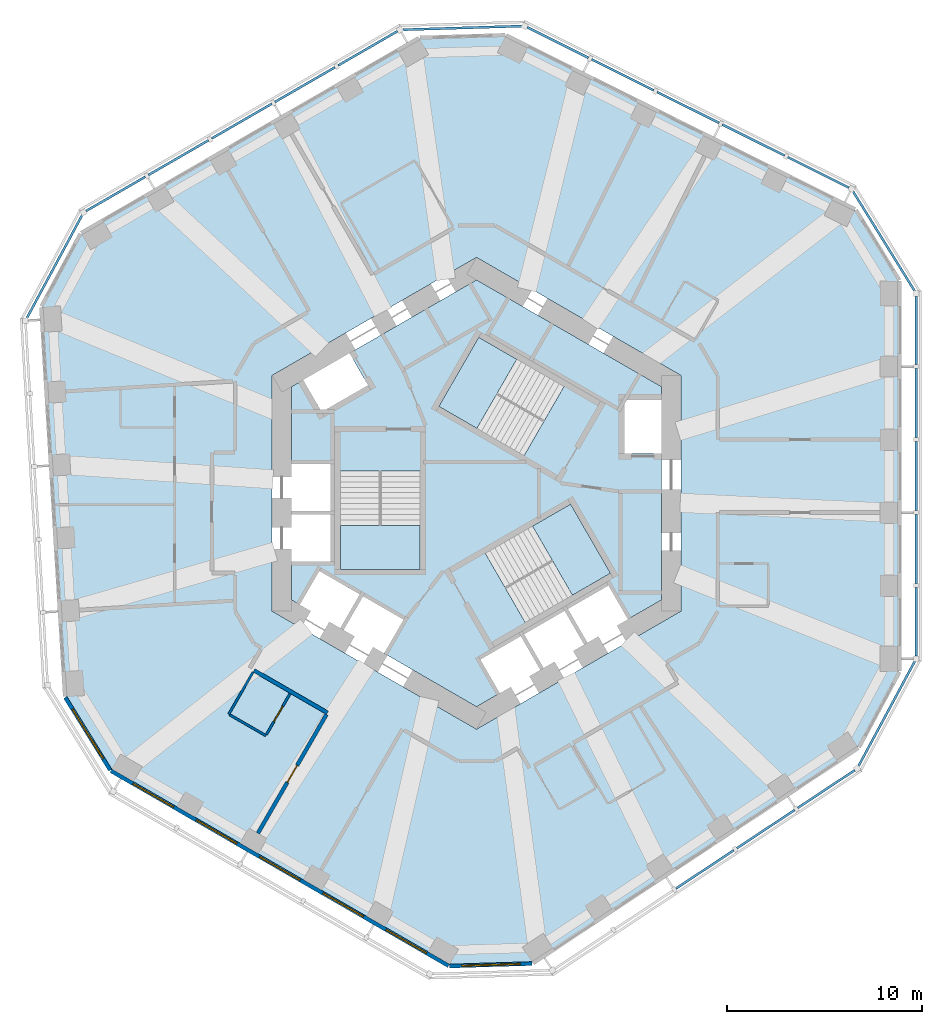
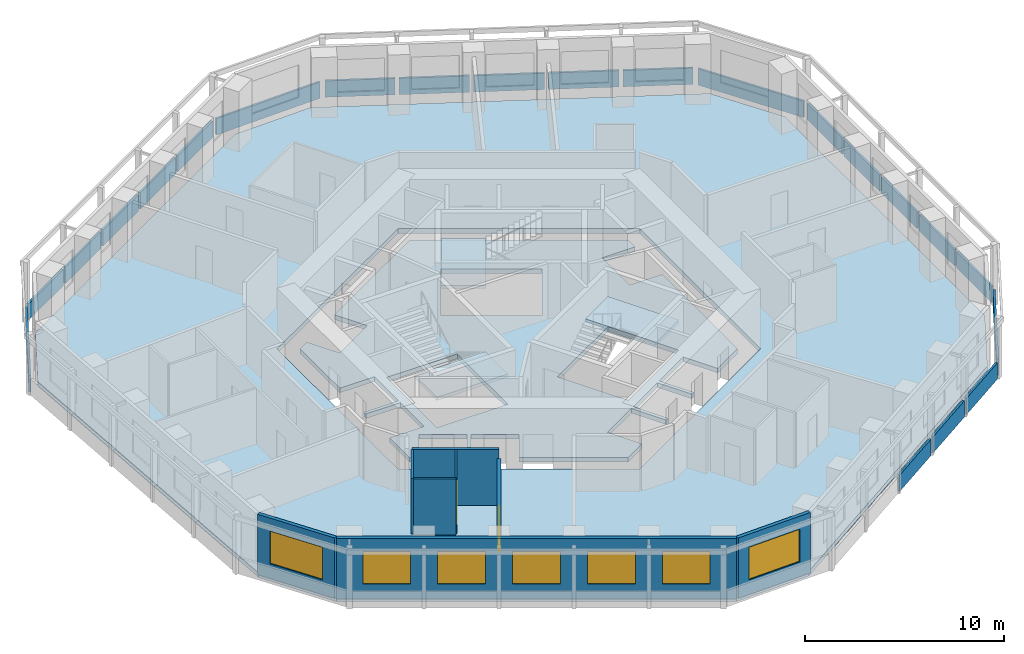
# One storey, part 3 of 11: 22 plates, 8 walls, 7 windows, 5 slabs, 2 doors, 9 openings, 11 elements without a shape of their own.
"""IFC4 building model written with IfcOpenShell, lengths in metres."""

from ifc_helpers import new_model, si_unit, direction, frame, frame_2d, origin, origin_2d, place, context, subcontext, project, spatial, polyline, rectangle, outline, extrude, material, layer, layer_set, type_object, element, fill, aggregate, save


model = new_model("IFC4")

# Units and contexts
model_context = context("Model", 3, precision=1e-05, world=origin(), true_north=direction((0.0, 1.0)))
body_context = subcontext(model_context, "Body", "Model", "MODEL_VIEW")
ifc_project = project(units=[si_unit("LENGTHUNIT", "METRE"), si_unit("AREAUNIT", "SQUARE_METRE"), si_unit("VOLUMEUNIT", "CUBIC_METRE"), si_unit("PLANEANGLEUNIT", "RADIAN"), si_unit("MASSUNIT", "GRAM", prefix="KILO")], contexts=[model_context])

# Site, building, storey
site_placement = place(None, origin())
site = spatial("IfcSite", under=ifc_project, at=site_placement, CompositionType="ELEMENT")
building_placement = place(site_placement, origin())
building = spatial("IfcBuilding", under=site, at=building_placement, Name="Vanh Sen Convention Tower", CompositionType="ELEMENT")
storey_placement = place(building_placement, frame((0.0, 0.0, 150.300048828125)))
storey = spatial("IfcBuildingStorey", under=building, at=storey_placement, Name="L36", CompositionType="ELEMENT", Elevation=150.300048828125)

# Slabs
ifc_material_1 = material(Name="Concrete C40/50", Category="concrete")
ifc_layer_1 = layer(ifc_material_1, 0.280029296875)
ifc_layer_set_1 = layer_set([ifc_layer_1], Name="Concrete C40/50")
slab_type_1 = type_object("IfcSlabType", Name="Core slab 280", PredefinedType="FLOOR", material=ifc_layer_set_1)
slab_1_placement = place(storey_placement, frame((0.0, 0.0, -0.280029296875)))
element("IfcSlab", 1, at=slab_1_placement, inside=storey, type_object=slab_type_1, Name="Core slab L36", PredefinedType="FLOOR", context=body_context, shape_type="SweptSolid", body=[
    extrude(outline(polyline([(0.0, 10.9697265625), (9.5, 5.48486328125), (9.5, 4.800048828125), (7.60009765625, 4.800048828125), (7.60009765625, 2.050048828125), (9.5, 2.050048828125), (9.5, -5.48486328125), (7.781005859375, -6.477294921875), (6.781005859375, -4.7451171875), (4.70263671875, -5.9453125), (5.70263671875, -7.67724609375), (5.529296875, -7.777099609375), (4.529296875, -6.045166015625), (2.450927734375, -7.2451171875), (3.450927734375, -8.977294921875), (3.27783203125, -9.0771484375), (2.27783203125, -7.34521484375), (0.19921875, -8.545166015625), (1.19921875, -10.277099609375), (0.0, -10.9697265625), (-4.75, -8.227294921875), (-3.75, -6.4951171875), (-5.82861328125, -5.295166015625), (-6.82861328125, -7.027099609375), (-7.001708984375, -6.92724609375), (-6.001708984375, -5.1953125), (-8.080078125, -3.9951171875), (-9.080078125, -5.727294921875), (-9.5, -5.48486328125), (-9.5, -3.5), (-7.5, -3.5), (-7.5, -1.10009765625), (-9.5, -1.10009765625), (-9.5, -0.89990234375), (-7.5, -0.89990234375), (-7.5, 1.5), (-9.5, 1.5), (-9.5, 5.48486328125), (-8.906982421875, 5.8271484375), (-7.956787109375, 4.181884765625), (-5.575439453125, 5.556884765625), (-6.525390625, 7.2021484375), (0.0, 10.9697265625)]), holes=[polyline([(-7.0, 1.1494140625), (-7.0, -3.909912109375), (-2.89990234375, -3.909912109375), (-2.89990234375, 1.1494140625), (-7.0, 1.1494140625)]), polyline([(2.504638671875, -6.63671875), (6.88623046875, -4.107177734375), (4.836181640625, -0.556396484375), (0.45458984375, -3.086181640625), (2.504638671875, -6.63671875)]), polyline([(0.11376953125, 8.01708984375), (-1.936279296875, 4.466552734375), (2.4453125, 1.936767578125), (4.495361328125, 5.487548828125), (0.11376953125, 8.01708984375)])]), origin(), (0.0, 0.0, 1.0), 0.280029296875),
])
ifc_layer_2 = layer(ifc_material_1, 0.280029296875)
ifc_layer_set_2 = layer_set([ifc_layer_2], Name="Concrete C40/50")
slab_type_2 = type_object("IfcSlabType", Name="Floor slab 280 REI 120", PredefinedType="FLOOR", material=ifc_layer_set_2)
slab_2_placement = place(storey_placement, frame((0.0, 0.0, -0.280029296875)))
element("IfcSlab", 2, at=slab_2_placement, inside=storey, type_object=slab_type_2, Name="Floor slab L36 tower", PredefinedType="FLOOR", context=body_context, shape_type="SweptSolid", body=[
    extrude(outline(polyline([(21.699951171875, -9.15087890625), (21.699951171875, 10.91943359375), (19.454833984375, 14.5478515625), (1.492919921875, 23.503173828125), (-2.925048828125, 23.368408203125), (-20.306640625, 13.3330078125), (-22.326171875, 9.574462890625), (-21.100830078125, -10.458740234375), (-18.77490234375, -14.21728515625), (-1.393310546875, -24.25244140625), (2.871337890625, -24.122314453125), (19.60791015625, -13.04443359375), (21.699951171875, -9.15087890625)]), holes=[polyline([(0.0, 12.12451171875), (-10.5, 6.062255859375), (-10.5, -6.062255859375), (0.0, -12.12451171875), (10.5, -6.062255859375), (10.5, 6.062255859375), (0.0, 12.12451171875)])]), origin(), (0.0, 0.0, 1.0), 0.280029296875),
])

# Curtain wall, plates
ifc_material_2 = material(Name="Concrete C50/60", Category="concrete")
curtain_wall_type = type_object("IfcCurtainWallType", Name="Outer skin office zone", PredefinedType="NOTDEFINED", material=ifc_material_2)
curtain_wall_1_placement = place(storey_placement, origin())
curtain_wall_1 = element("IfcCurtainWall", 3, at=curtain_wall_1_placement, inside=storey, type_object=curtain_wall_type, Name="OUTER SKIN E L36", PredefinedType="NOTDEFINED")
ifc_layer_3 = layer(ifc_material_2, 0.1201171875)
ifc_layer_set_3 = layer_set([ifc_layer_3], Name="Concrete C50/60")
plate_type = type_object("IfcPlateType", Name="Outer skin precast screen panel 120", PredefinedType="CURTAIN_PANEL", material=ifc_layer_set_3)
plate_1_placement = place(storey_placement, frame((22.60009765625, -6.59912109375, 0.0), z_axis=(0.0, 0.0, 1.0), x_axis=(0.0, 1.0, 0.0)))
plate_1 = element("IfcPlate", 4, at=plate_1_placement, type_object=plate_type, Name="OUTER SKIN screen panel E-1", PredefinedType="CURTAIN_PANEL", context=body_context, shape_type="SweptSolid", body=[
    extrude(rectangle(XDim=3.504150390625, YDim=0.1201171875, at=origin_2d()), origin(), (0.0, 0.0, 1.0), 1.0),
])
plate_2_placement = place(storey_placement, frame((22.60009765625, -2.869873046875, 0.0), z_axis=(0.0, 0.0, 1.0), x_axis=(0.0, 1.0, 0.0)))
plate_2 = element("IfcPlate", 5, at=plate_2_placement, type_object=plate_type, Name="OUTER SKIN screen panel E-2", PredefinedType="CURTAIN_PANEL", context=body_context, shape_type="SweptSolid", body=[
    extrude(rectangle(XDim=3.55419921875, YDim=0.1201171875, at=origin_2d()), origin(), (0.0, 0.0, 1.0), 1.0),
])
plate_3_placement = place(storey_placement, frame((22.60009765625, 0.88427734375, 0.0), z_axis=(0.0, 0.0, 1.0), x_axis=(0.0, 1.0, 0.0)))
plate_3 = element("IfcPlate", 6, at=plate_3_placement, type_object=plate_type, Name="OUTER SKIN screen panel E-3", PredefinedType="CURTAIN_PANEL", context=body_context, shape_type="SweptSolid", body=[
    extrude(rectangle(XDim=3.55419921875, YDim=0.1201171875, at=origin_2d()), origin(), (0.0, 0.0, 1.0), 1.0),
])
plate_4_placement = place(storey_placement, frame((22.60009765625, 4.63818359375, 0.0), z_axis=(0.0, 0.0, 1.0), x_axis=(0.0, 1.0, 0.0)))
plate_4 = element("IfcPlate", 7, at=plate_4_placement, type_object=plate_type, Name="OUTER SKIN screen panel E-4", PredefinedType="CURTAIN_PANEL", context=body_context, shape_type="SweptSolid", body=[
    extrude(rectangle(XDim=3.55419921875, YDim=0.1201171875, at=origin_2d()), origin(), (0.0, 0.0, 1.0), 1.0),
])
plate_5_placement = place(storey_placement, frame((22.60009765625, 8.367431640625, 0.0), z_axis=(0.0, 0.0, 1.0), x_axis=(0.0, 1.0, 0.0)))
plate_5 = element("IfcPlate", 8, at=plate_5_placement, type_object=plate_type, Name="OUTER SKIN screen panel E-5", PredefinedType="CURTAIN_PANEL", context=body_context, shape_type="SweptSolid", body=[
    extrude(rectangle(XDim=3.504150390625, YDim=0.1201171875, at=origin_2d()), origin(), (0.0, 0.0, 1.0), 1.0),
])
aggregate(curtain_wall_1, [plate_1, plate_2, plate_3, plate_4, plate_5])

# Curtain wall, plate
curtain_wall_2_placement = place(storey_placement, origin())
curtain_wall_2 = element("IfcCurtainWall", 9, at=curtain_wall_2_placement, inside=storey, type_object=curtain_wall_type, Name="OUTER SKIN CH1 L36", PredefinedType="NOTDEFINED")
plate_6_placement = place(storey_placement, frame((20.937255859375, 12.956298828125, 0.0), z_axis=(0.0, 0.0, 1.0), x_axis=(-0.5262035346, 0.850358653848, 0.0)))
plate_6 = element("IfcPlate", 10, at=plate_6_placement, type_object=plate_type, Name="OUTER SKIN screen panel CH1-1", PredefinedType="CURTAIN_PANEL", context=body_context, shape_type="SweptSolid", body=[
    extrude(rectangle(XDim=6.01953125, YDim=0.1201171875, at=origin_2d()), origin(), (0.0, 0.0, 1.0), 1.0),
])
aggregate(curtain_wall_2, [plate_6])

# Curtain wall, plates
curtain_wall_3_placement = place(storey_placement, origin())
curtain_wall_3 = element("IfcCurtainWall", 11, at=curtain_wall_3_placement, inside=storey, type_object=curtain_wall_type, Name="OUTER SKIN NE L36", PredefinedType="NOTDEFINED")
plate_7_placement = place(storey_placement, frame((17.572509765625, 16.491943359375, 0.0), z_axis=(0.0, 0.0, 1.0), x_axis=(-0.894943706551, 0.446179069551, 0.0)))
plate_7 = element("IfcPlate", 12, at=plate_7_placement, type_object=plate_type, Name="OUTER SKIN screen panel NE-1", PredefinedType="CURTAIN_PANEL", context=body_context, shape_type="SweptSolid", body=[
    extrude(rectangle(XDim=3.504150390625, YDim=0.1201171875, at=origin_2d()), origin(), (0.0, 0.0, 1.0), 1.0),
])
plate_8_placement = place(storey_placement, frame((14.235107421875, 18.156005859375, 0.0), z_axis=(0.0, 0.0, 1.0), x_axis=(-0.894932804072, 0.446200937017, 0.0)))
plate_8 = element("IfcPlate", 13, at=plate_8_placement, type_object=plate_type, Name="OUTER SKIN screen panel NE-2", PredefinedType="CURTAIN_PANEL", context=body_context, shape_type="SweptSolid", body=[
    extrude(rectangle(XDim=3.55419921875, YDim=0.1201171875, at=origin_2d()), origin(), (0.0, 0.0, 1.0), 1.0),
])
plate_9_placement = place(storey_placement, frame((10.87548828125, 19.8310546875, 0.0), z_axis=(0.0, 0.0, 1.0), x_axis=(-0.894932804072, 0.446200937017, 0.0)))
plate_9 = element("IfcPlate", 14, at=plate_9_placement, type_object=plate_type, Name="OUTER SKIN screen panel NE-3", PredefinedType="CURTAIN_PANEL", context=body_context, shape_type="SweptSolid", body=[
    extrude(rectangle(XDim=3.55419921875, YDim=0.1201171875, at=origin_2d()), origin(), (0.0, 0.0, 1.0), 1.0),
])
plate_10_placement = place(storey_placement, frame((7.515625, 21.506103515625, 0.0), z_axis=(0.0, 0.0, 1.0), x_axis=(-0.894932804072, 0.446200937017, 0.0)))
plate_10 = element("IfcPlate", 15, at=plate_10_placement, type_object=plate_type, Name="OUTER SKIN screen panel NE-4", PredefinedType="CURTAIN_PANEL", context=body_context, shape_type="SweptSolid", body=[
    extrude(rectangle(XDim=3.55419921875, YDim=0.1201171875, at=origin_2d()), origin(), (0.0, 0.0, 1.0), 1.0),
])
plate_11_placement = place(storey_placement, frame((4.178466796875, 23.169921875, 0.0), z_axis=(0.0, 0.0, 1.0), x_axis=(-0.894943706551, 0.446179069551, 0.0)))
plate_11 = element("IfcPlate", 16, at=plate_11_placement, type_object=plate_type, Name="OUTER SKIN screen panel NE-5", PredefinedType="CURTAIN_PANEL", context=body_context, shape_type="SweptSolid", body=[
    extrude(rectangle(XDim=3.504150390625, YDim=0.1201171875, at=origin_2d()), origin(), (0.0, 0.0, 1.0), 1.0),
])
aggregate(curtain_wall_3, [plate_7, plate_8, plate_9, plate_10, plate_11])

# Curtain wall, plate
curtain_wall_4_placement = place(storey_placement, origin())
curtain_wall_4 = element("IfcCurtainWall", 17, at=curtain_wall_4_placement, inside=storey, type_object=curtain_wall_type, Name="OUTER SKIN CH2 L36", PredefinedType="NOTDEFINED")
plate_12_placement = place(storey_placement, frame((-0.73095703125, 23.920654296875, 0.0), z_axis=(0.0, 0.0, 1.0), x_axis=(-0.999533590837, -0.03053851321, 0.0)))
plate_12 = element("IfcPlate", 18, at=plate_12_placement, type_object=plate_type, Name="OUTER SKIN screen panel CH2-1", PredefinedType="CURTAIN_PANEL", context=body_context, shape_type="SweptSolid", body=[
    extrude(rectangle(XDim=6.1171875, YDim=0.1201171875, at=origin_2d()), origin(), (0.0, 0.0, 1.0), 1.0),
])
aggregate(curtain_wall_4, [plate_12])

# Curtain wall, plates
curtain_wall_5_placement = place(storey_placement, origin())
curtain_wall_5 = element("IfcCurtainWall", 19, at=curtain_wall_5_placement, inside=storey, type_object=curtain_wall_type, Name="OUTER SKIN NW L36", PredefinedType="NOTDEFINED")
plate_13_placement = place(storey_placement, frame((-5.585205078125, 22.87158203125, 0.0), z_axis=(0.0, 0.0, 1.0), x_axis=(-0.866035002936, -0.499983373414, 0.0)))
plate_13 = element("IfcPlate", 20, at=plate_13_placement, type_object=plate_type, Name="OUTER SKIN screen panel NW-1", PredefinedType="CURTAIN_PANEL", context=body_context, shape_type="SweptSolid", body=[
    extrude(rectangle(XDim=3.504150390625, YDim=0.1201171875, at=origin_2d()), origin(), (0.0, 0.0, 1.0), 1.0),
])
plate_14_placement = place(storey_placement, frame((-8.814697265625, 21.007080078125, 0.0), z_axis=(0.0, 0.0, 1.0), x_axis=(-0.866016677006, -0.500015114919, 0.0)))
plate_14 = element("IfcPlate", 21, at=plate_14_placement, type_object=plate_type, Name="OUTER SKIN screen panel NW-2", PredefinedType="CURTAIN_PANEL", context=body_context, shape_type="SweptSolid", body=[
    extrude(rectangle(XDim=3.55419921875, YDim=0.1201171875, at=origin_2d()), origin(), (0.0, 0.0, 1.0), 1.0),
])
plate_15_placement = place(storey_placement, frame((-12.06591796875, 19.1298828125, 0.0), z_axis=(0.0, 0.0, 1.0), x_axis=(-0.866035002936, -0.499983373414, 0.0)))
plate_15 = element("IfcPlate", 22, at=plate_15_placement, type_object=plate_type, Name="OUTER SKIN screen panel NW-3", PredefinedType="CURTAIN_PANEL", context=body_context, shape_type="SweptSolid", body=[
    extrude(rectangle(XDim=3.55419921875, YDim=0.1201171875, at=origin_2d()), origin(), (0.0, 0.0, 1.0), 1.0),
])
plate_16_placement = place(storey_placement, frame((-15.31689453125, 17.2529296875, 0.0), z_axis=(0.0, 0.0, 1.0), x_axis=(-0.866016677006, -0.500015114919, 0.0)))
plate_16 = element("IfcPlate", 23, at=plate_16_placement, type_object=plate_type, Name="OUTER SKIN screen panel NW-4", PredefinedType="CURTAIN_PANEL", context=body_context, shape_type="SweptSolid", body=[
    extrude(rectangle(XDim=3.55419921875, YDim=0.1201171875, at=origin_2d()), origin(), (0.0, 0.0, 1.0), 1.0),
])
plate_17_placement = place(storey_placement, frame((-18.54638671875, 15.388427734375, 0.0), z_axis=(0.0, 0.0, 1.0), x_axis=(-0.866035002936, -0.499983373414, 0.0)))
plate_17 = element("IfcPlate", 24, at=plate_17_placement, type_object=plate_type, Name="OUTER SKIN screen panel NW-5", PredefinedType="CURTAIN_PANEL", context=body_context, shape_type="SweptSolid", body=[
    extrude(rectangle(XDim=3.504150390625, YDim=0.1201171875, at=origin_2d()), origin(), (0.0, 0.0, 1.0), 1.0),
])
aggregate(curtain_wall_5, [plate_13, plate_14, plate_15, plate_16, plate_17])

# Curtain wall, plate
curtain_wall_6_placement = place(storey_placement, origin())
curtain_wall_6 = element("IfcCurtainWall", 25, at=curtain_wall_6_placement, inside=storey, type_object=curtain_wall_type, Name="OUTER SKIN CH3 L36", PredefinedType="NOTDEFINED")
plate_18_placement = place(storey_placement, frame((-21.689208984375, 11.654052734375, 0.0), z_axis=(0.0, 0.0, 1.0), x_axis=(-0.47331812974, -0.880891564303, 0.0)))
plate_18 = element("IfcPlate", 26, at=plate_18_placement, type_object=plate_type, Name="OUTER SKIN screen panel CH3-1", PredefinedType="CURTAIN_PANEL", context=body_context, shape_type="SweptSolid", body=[
    extrude(rectangle(XDim=6.019287109375, YDim=0.1201171875, at=origin_2d()), origin(), (0.0, 0.0, 1.0), 1.0),
])
aggregate(curtain_wall_6, [plate_18])

# Curtain wall, plates
curtain_wall_7_placement = place(storey_placement, origin())
curtain_wall_7 = element("IfcCurtainWall", 27, at=curtain_wall_7_placement, inside=storey, type_object=curtain_wall_type, Name="OUTER SKIN SE L36", PredefinedType="NOTDEFINED")
plate_19_placement = place(storey_placement, frame((11.736328125, -19.333984375, 0.0), z_axis=(0.0, 0.0, 1.0), x_axis=(0.833877152158, 0.551950083892, 0.0)))
plate_19 = element("IfcPlate", 28, at=plate_19_placement, type_object=plate_type, Name="OUTER SKIN screen panel SE-3", PredefinedType="CURTAIN_PANEL", context=body_context, shape_type="SweptSolid", body=[
    extrude(rectangle(XDim=3.55419921875, YDim=0.1201171875, at=origin_2d()), origin(), (0.0, 0.0, 1.0), 1.0),
])
plate_20_placement = place(storey_placement, frame((14.866943359375, -17.26171875, 0.0), z_axis=(0.0, 0.0, 1.0), x_axis=(0.833889675294, 0.551931163677, 0.0)))
plate_20 = element("IfcPlate", 29, at=plate_20_placement, type_object=plate_type, Name="OUTER SKIN screen panel SE-4", PredefinedType="CURTAIN_PANEL", context=body_context, shape_type="SweptSolid", body=[
    extrude(rectangle(XDim=3.55419921875, YDim=0.1201171875, at=origin_2d()), origin(), (0.0, 0.0, 1.0), 1.0),
])
plate_21_placement = place(storey_placement, frame((17.9765625, -15.20361328125, 0.0), z_axis=(0.0, 0.0, 1.0), x_axis=(0.833889675294, 0.551931163677, 0.0)))
plate_21 = element("IfcPlate", 30, at=plate_21_placement, type_object=plate_type, Name="OUTER SKIN screen panel SE-5", PredefinedType="CURTAIN_PANEL", context=body_context, shape_type="SweptSolid", body=[
    extrude(rectangle(XDim=3.504150390625, YDim=0.1201171875, at=origin_2d()), origin(), (0.0, 0.0, 1.0), 1.0),
])
aggregate(curtain_wall_7, [plate_19, plate_20, plate_21])

# Curtain wall, plate
curtain_wall_8_placement = place(storey_placement, origin())
curtain_wall_8 = element("IfcCurtainWall", 31, at=curtain_wall_8_placement, inside=storey, type_object=curtain_wall_type, Name="OUTER SKIN CH6 L36", PredefinedType="NOTDEFINED")
plate_22_placement = place(storey_placement, frame((21.081298828125, -11.327392578125, 0.0), z_axis=(0.0, 0.0, 1.0), x_axis=(0.473321204628, 0.880889912105, 0.0)))
plate_22 = element("IfcPlate", 32, at=plate_22_placement, type_object=plate_type, Name="OUTER SKIN screen panel CH6-1", PredefinedType="CURTAIN_PANEL", context=body_context, shape_type="SweptSolid", body=[
    extrude(rectangle(XDim=6.1171875, YDim=0.1201171875, at=origin_2d()), origin(), (0.0, 0.0, 1.0), 1.0),
])
aggregate(curtain_wall_8, [plate_22])

# Stair, slab
ifc_material_3 = material(Name="Concrete C50/60", Category="concrete")
stair_type_1 = type_object("IfcStairType", Name="Exit stair ST1 22 risers at 168.2", PredefinedType="HALF_TURN_STAIR", material=ifc_material_3)
stair_1_placement = place(storey_placement, origin())
stair_1 = element("IfcStair", 33, at=stair_1_placement, inside=storey, type_object=stair_type_1, Name="Exit stair ST1 L36", PredefinedType="HALF_TURN_STAIR")
ifc_layer_4 = layer(ifc_material_1, 0.199951171875)
ifc_layer_set_4 = layer_set([ifc_layer_4], Name="Concrete C40/50")
slab_type_3 = type_object("IfcSlabType", Name="Stair landing 200", PredefinedType="LANDING", material=ifc_layer_set_4)
slab_3_placement = place(storey_placement, frame((0.0, 0.0, 1.64990234375)))
slab_3 = element("IfcSlab", 34, at=slab_3_placement, type_object=slab_type_3, Name="ST1 landing 1", PredefinedType="LANDING", context=body_context, shape_type="SweptSolid", body=[
    extrude(outline(polyline([(2.07177734375, 6.88671875), (0.11376953125, 8.01708984375), (-1.936279296875, 4.466552734375), (0.021728515625, 3.336181640625), (2.07177734375, 6.88671875)])), origin(), (0.0, 0.0, 1.0), 0.199951171875),
])
aggregate(stair_1, [slab_3])

stair_type_2 = type_object("IfcStairType", Name="Exit stair ST2 22 risers at 168.2", PredefinedType="HALF_TURN_STAIR", material=ifc_material_3)
stair_2_placement = place(storey_placement, origin())
stair_2 = element("IfcStair", 35, at=stair_2_placement, inside=storey, type_object=stair_type_2, Name="Exit stair ST2 L36", PredefinedType="HALF_TURN_STAIR")
slab_4_placement = place(storey_placement, frame((0.0, 0.0, 1.64990234375)))
slab_4 = element("IfcSlab", 36, at=slab_4_placement, type_object=slab_type_3, Name="ST2 landing 1", PredefinedType="LANDING", context=body_context, shape_type="SweptSolid", body=[
    extrude(outline(polyline([(-7.0, -1.6494140625), (-7.0, -3.909912109375), (-2.89990234375, -3.909912109375), (-2.89990234375, -1.6494140625), (-7.0, -1.6494140625)])), origin(), (0.0, 0.0, 1.0), 0.199951171875),
])
aggregate(stair_2, [slab_4])

stair_type_3 = type_object("IfcStairType", Name="Exit stair ST3 22 risers at 168.2", PredefinedType="HALF_TURN_STAIR", material=ifc_material_3)
stair_3_placement = place(storey_placement, origin())
stair_3 = element("IfcStair", 37, at=stair_3_placement, inside=storey, type_object=stair_type_3, Name="Exit stair ST3 L36", PredefinedType="HALF_TURN_STAIR")
slab_5_placement = place(storey_placement, frame((0.0, 0.0, 1.64990234375)))
slab_5 = element("IfcSlab", 38, at=slab_5_placement, type_object=slab_type_3, Name="ST3 landing 1", PredefinedType="LANDING", context=body_context, shape_type="SweptSolid", body=[
    extrude(outline(polyline([(4.92822265625, -5.237548828125), (6.88623046875, -4.107177734375), (4.836181640625, -0.556396484375), (2.87841796875, -1.686767578125), (4.92822265625, -5.237548828125)])), origin(), (0.0, 0.0, 1.0), 0.199951171875),
])
aggregate(stair_3, [slab_5])

# Walls
ifc_material_4 = material(Name="Moisture-resistant gypsum board on steel studs", Category="steel")
ifc_layer_5 = layer(ifc_material_4, 0.1201171875)
ifc_layer_set_5 = layer_set([ifc_layer_5], Name="Moisture-resistant gypsum board on steel studs")
wall_type_1 = type_object("IfcWallType", Name="Bathroom partition 120", PredefinedType="PARTITIONING", material=ifc_layer_set_5)
wall_1_placement = place(storey_placement, frame((-12.734619140625, -11.35498046875, 0.0), z_axis=(0.0, 0.0, 1.0), x_axis=(0.500004234368, 0.866022959057, 0.0)))
element("IfcWall", 39, at=wall_1_placement, inside=storey, type_object=wall_type_1, Name="Bathroom partition 120", PredefinedType="PARTITIONING", context=body_context, shape_type="SweptSolid", body=[
    extrude(rectangle(XDim=2.5, YDim=0.1201171875, at=frame_2d((1.25, 0.0))), origin(), (0.0, 0.0, 1.0), 3.419921875),
])
wall_2_placement = place(storey_placement, frame((-10.829345703125, -12.455078125, 0.0), z_axis=(0.0, 0.0, 1.0), x_axis=(-0.86600889856, 0.500028586798, 0.0)))
element("IfcWall", 40, at=wall_2_placement, inside=storey, type_object=wall_type_1, Name="Bathroom partition 120", PredefinedType="PARTITIONING", context=body_context, shape_type="SweptSolid", body=[
    extrude(rectangle(XDim=2.139892578125, YDim=0.1201171875, at=frame_2d((1.06982421875, 0.0))), origin(), (0.0, 0.0, 1.0), 3.419921875),
])

# Wall, opening, door
wall_3_placement = place(storey_placement, frame((-9.579345703125, -10.289794921875, 0.0), z_axis=(0.0, 0.0, 1.0), x_axis=(-0.499959183527, -0.866048967903, 0.0)))
wall_3 = element("IfcWall", 41, at=wall_3_placement, inside=storey, type_object=wall_type_1, Name="Bathroom partition 120", PredefinedType="PARTITIONING", context=body_context, shape_type="SweptSolid", body=[
    extrude(rectangle(XDim=2.440185546875, YDim=0.1201171875, at=frame_2d((1.22021484375, 0.0))), origin(), (0.0, 0.0, 1.0), 3.419921875),
])
opening_1_placement = place(wall_3_placement, frame((0.77001953125, 0.0, 0.0)))
opening_1 = element("IfcOpeningElement", 42, at=opening_1_placement, cuts=wall_3, Name="Opening D35112", PredefinedType="OPENING", context=body_context, shape_type="SweptSolid", body=[
    extrude(rectangle(XDim=0.89990234375, YDim=2.10009765625, at=frame_2d((0.449951171875, 1.050048828125))), frame((0.0, 0.070068359375, 0.0), z_axis=(0.0, -1.0, 0.0), x_axis=(1.0, 0.0, 0.0)), (0.0, 0.0, 1.0), 0.14013671875),
])
ifc_material_5 = material(Name="Laminate door in steel frame", Category="steel")
door_type_1 = type_object("IfcDoorType", Name="Room internal door 900", OperationType="SINGLE_SWING_LEFT", PredefinedType="DOOR", material=ifc_material_5)
door_1_placement = place(opening_1_placement, origin())
door_1 = element("IfcDoor", 43, at=door_1_placement, inside=storey, type_object=door_type_1, Name="Internal room door D35112", OperationType="SINGLE_SWING_LEFT", OverallHeight=2.10009765625, OverallWidth=0.89990234375, PredefinedType="DOOR", context=body_context, shape_type="SweptSolid", body=[
    extrude(rectangle(XDim=0.89990234375, YDim=2.10009765625, at=frame_2d((0.449951171875, 1.050048828125))), frame((0.0, 0.02490234375, 0.0), z_axis=(0.0, -1.0, 0.0), x_axis=(1.0, 0.0, 0.0)), (0.0, 0.0, 1.0), 0.050048828125),
])
fill(opening_1, door_1)

# Wall
ifc_material_6 = material(Name="Gypsum board on steel studs with mineral wool", Category="steel")
ifc_layer_6 = layer(ifc_material_6, 0.199951171875)
ifc_layer_set_6 = layer_set([ifc_layer_6], Name="Gypsum board on steel studs with mineral wool")
wall_type_2 = type_object("IfcWallType", Name="Corridor partition wall 200", PredefinedType="PARTITIONING", material=ifc_layer_set_6)
wall_4_placement = place(storey_placement, frame((-11.4345703125, -9.103271484375, 0.0), z_axis=(0.0, 0.0, 1.0), x_axis=(0.866007399799, -0.500031182522, 0.0)))
element("IfcWall", 44, at=wall_4_placement, inside=storey, type_object=wall_type_2, Name="Corridor partition wall 200", PredefinedType="PARTITIONING", context=body_context, shape_type="SweptSolid", body=[
    extrude(rectangle(XDim=4.358154296875, YDim=0.199951171875, at=frame_2d((2.17919921875, 0.0))), origin(), (0.0, 0.0, 1.0), 3.419921875),
])

# Wall, opening, door
wall_5_placement = place(storey_placement, frame((-11.23486328125, -17.4736328125, 0.0), z_axis=(0.0, 0.0, 1.0), x_axis=(0.500009260695, 0.866020057054, 0.0)))
wall_5 = element("IfcWall", 45, at=wall_5_placement, inside=storey, type_object=wall_type_2, Name="Corridor partition wall 200", PredefinedType="PARTITIONING", context=body_context, shape_type="SweptSolid", body=[
    extrude(rectangle(XDim=7.049072265625, YDim=0.199951171875, at=frame_2d((3.5244140625, 0.0))), origin(), (0.0, 0.0, 1.0), 2.869873046875),
])
opening_2_placement = place(wall_5_placement, frame((3.0244140625, 0.0, 0.0)))
opening_2 = element("IfcOpeningElement", 46, at=opening_2_placement, cuts=wall_5, Name="Opening D35111", PredefinedType="OPENING", context=body_context, shape_type="SweptSolid", body=[
    extrude(rectangle(XDim=1.0, YDim=2.10009765625, at=frame_2d((0.5, 1.050048828125))), frame((0.0, 0.10986328125, 0.0), z_axis=(0.0, -1.0, 0.0), x_axis=(1.0, 0.0, 0.0)), (0.0, 0.0, 1.0), 0.219970703125),
])
ifc_material_7 = material(Name="Glazed fire door in steel frame", Category="steel")
door_type_2 = type_object("IfcDoorType", Name="Tenant entrance door 1000", OperationType="SINGLE_SWING_LEFT", PredefinedType="DOOR", material=ifc_material_7)
door_2_placement = place(opening_2_placement, origin())
door_2 = element("IfcDoor", 47, at=door_2_placement, inside=storey, type_object=door_type_2, Name="Tenant suite entrance door D35111", OperationType="SINGLE_SWING_LEFT", OverallHeight=2.10009765625, OverallWidth=1.0, PredefinedType="DOOR", context=body_context, shape_type="SweptSolid", body=[
    extrude(rectangle(XDim=1.0, YDim=2.10009765625, at=frame_2d((0.5, 1.050048828125))), frame((0.0, 0.02490234375, 0.0), z_axis=(0.0, -1.0, 0.0), x_axis=(1.0, 0.0, 0.0)), (0.0, 0.0, 1.0), 0.050048828125),
])
fill(opening_2, door_2)

# Wall, opening, window
ifc_material_8 = material(Name="Insulated lightweight infill wall")
ifc_layer_7 = layer(ifc_material_8, 0.199951171875)
ifc_layer_set_7 = layer_set([ifc_layer_7], Name="Insulated lightweight infill wall")
wall_type_3 = type_object("IfcWallType", Name="External wall 200", PredefinedType="STANDARD", material=ifc_layer_set_7)
wall_6_placement = place(storey_placement, frame((-21.13671875, -10.49560546875, 0.0), z_axis=(0.0, 0.0, 1.0), x_axis=(0.526178661629, -0.850374044786, 0.0)))
wall_6 = element("IfcWall", 48, at=wall_6_placement, inside=storey, type_object=wall_type_3, Name="External wall CH4 L36", PredefinedType="STANDARD", context=body_context, shape_type="SweptSolid", body=[
    extrude(rectangle(XDim=4.394775390625, YDim=0.199951171875, at=frame_2d((2.197265625, 0.0))), origin(), (0.0, 0.0, 1.0), 3.699951171875),
])
opening_3_placement = place(wall_6_placement, frame((0.697509765625, 0.0, 0.89990234375)))
opening_3 = element("IfcOpeningElement", 49, at=opening_3_placement, cuts=wall_6, Name="Opening WO2-CH41", PredefinedType="OPENING", context=body_context, shape_type="SweptSolid", body=[
    extrude(rectangle(XDim=3.0, YDim=2.0, at=frame_2d((1.5, 1.0))), frame((0.0, 0.10986328125, 0.0), z_axis=(0.0, -1.0, 0.0), x_axis=(1.0, 0.0, 0.0)), (0.0, 0.0, 1.0), 0.219970703125),
])
ifc_material_9 = material(Name="Aluminium frame with clear low-emissivity glass", Category="aluminium")
window_type_1 = type_object("IfcWindowType", Name="Office window 3000 x 2000", PartitioningType="SINGLE_PANEL", PredefinedType="WINDOW", material=ifc_material_9)
window_1_placement = place(opening_3_placement, origin())
window_1 = element("IfcWindow", 50, at=window_1_placement, inside=storey, type_object=window_type_1, Name="Window WO2-CH41", OverallHeight=2.0, OverallWidth=3.0, PartitioningType="SINGLE_PANEL", PredefinedType="WINDOW", context=body_context, shape_type="SweptSolid", body=[
    extrude(rectangle(XDim=3.0, YDim=2.0, at=frame_2d((1.5, 1.0))), frame((0.0, 0.030029296875, 0.0), z_axis=(0.0, -1.0, 0.0), x_axis=(1.0, 0.0, 0.0)), (0.0, 0.0, 1.0), 0.06005859375),
])
fill(opening_3, window_1)

# Wall, openings, windows
wall_7_placement = place(storey_placement, frame((-18.7890625, -14.266845703125, 0.0), z_axis=(0.0, 0.0, 1.0), x_axis=(0.866023315909, -0.500003616288, 0.0)))
wall_7 = element("IfcWall", 51, at=wall_7_placement, inside=storey, type_object=wall_type_3, Name="External wall SW L36", PredefinedType="STANDARD", context=body_context, shape_type="SweptSolid", body=[
    extrude(rectangle(XDim=20.043701171875, YDim=0.199951171875, at=frame_2d((10.02197265625, 0.0))), origin(), (0.0, 0.0, 1.0), 3.699951171875),
])
opening_4_placement = place(wall_7_placement, frame((1.314453125, 0.0, 0.89990234375)))
opening_4 = element("IfcOpeningElement", 52, at=opening_4_placement, cuts=wall_7, Name="Opening WO1-SW1", PredefinedType="OPENING", context=body_context, shape_type="SweptSolid", body=[
    extrude(rectangle(XDim=2.39990234375, YDim=2.0, at=frame_2d((1.199951171875, 1.0))), frame((0.0, 0.10986328125, 0.0), z_axis=(0.0, -1.0, 0.0), x_axis=(1.0, 0.0, 0.0)), (0.0, 0.0, 1.0), 0.219970703125),
])
opening_5_placement = place(wall_7_placement, frame((5.068603515625, 0.0, 0.89990234375)))
opening_5 = element("IfcOpeningElement", 53, at=opening_5_placement, cuts=wall_7, Name="Opening WO1-SW2", PredefinedType="OPENING", context=body_context, shape_type="SweptSolid", body=[
    extrude(rectangle(XDim=2.39990234375, YDim=2.0, at=frame_2d((1.199951171875, 1.0))), frame((0.0, 0.10986328125, 0.0), z_axis=(0.0, -1.0, 0.0), x_axis=(1.0, 0.0, 0.0)), (0.0, 0.0, 1.0), 0.219970703125),
])
opening_6_placement = place(wall_7_placement, frame((8.82275390625, 0.0, 0.89990234375)))
opening_6 = element("IfcOpeningElement", 54, at=opening_6_placement, cuts=wall_7, Name="Opening WO1-SW3", PredefinedType="OPENING", context=body_context, shape_type="SweptSolid", body=[
    extrude(rectangle(XDim=2.39990234375, YDim=2.0, at=frame_2d((1.199951171875, 1.0))), frame((0.0, 0.10986328125, 0.0), z_axis=(0.0, -1.0, 0.0), x_axis=(1.0, 0.0, 0.0)), (0.0, 0.0, 1.0), 0.219970703125),
])
opening_7_placement = place(wall_7_placement, frame((12.576904296875, 0.0, 0.89990234375)))
opening_7 = element("IfcOpeningElement", 55, at=opening_7_placement, cuts=wall_7, Name="Opening WO1-SW4", PredefinedType="OPENING", context=body_context, shape_type="SweptSolid", body=[
    extrude(rectangle(XDim=2.39990234375, YDim=2.0, at=frame_2d((1.199951171875, 1.0))), frame((0.0, 0.10986328125, 0.0), z_axis=(0.0, -1.0, 0.0), x_axis=(1.0, 0.0, 0.0)), (0.0, 0.0, 1.0), 0.219970703125),
])
opening_8_placement = place(wall_7_placement, frame((16.330810546875, 0.0, 0.89990234375)))
opening_8 = element("IfcOpeningElement", 56, at=opening_8_placement, cuts=wall_7, Name="Opening WO1-SW5", PredefinedType="OPENING", context=body_context, shape_type="SweptSolid", body=[
    extrude(rectangle(XDim=2.39990234375, YDim=2.0, at=frame_2d((1.199951171875, 1.0))), frame((0.0, 0.10986328125, 0.0), z_axis=(0.0, -1.0, 0.0), x_axis=(1.0, 0.0, 0.0)), (0.0, 0.0, 1.0), 0.219970703125),
])
window_type_2 = type_object("IfcWindowType", Name="Office window 2400 x 2000", PartitioningType="SINGLE_PANEL", PredefinedType="WINDOW", material=ifc_material_9)
window_2_placement = place(opening_4_placement, origin())
window_2 = element("IfcWindow", 57, at=window_2_placement, inside=storey, type_object=window_type_2, Name="Window WO1-SW1", OverallHeight=2.0, OverallWidth=2.39990234375, PartitioningType="SINGLE_PANEL", PredefinedType="WINDOW", context=body_context, shape_type="SweptSolid", body=[
    extrude(rectangle(XDim=2.39990234375, YDim=2.0, at=frame_2d((1.199951171875, 1.0))), frame((0.0, 0.030029296875, 0.0), z_axis=(0.0, -1.0, 0.0), x_axis=(1.0, 0.0, 0.0)), (0.0, 0.0, 1.0), 0.06005859375),
])
fill(opening_4, window_2)
window_3_placement = place(opening_5_placement, origin())
window_3 = element("IfcWindow", 58, at=window_3_placement, inside=storey, type_object=window_type_2, Name="Window WO1-SW2", OverallHeight=2.0, OverallWidth=2.39990234375, PartitioningType="SINGLE_PANEL", PredefinedType="WINDOW", context=body_context, shape_type="SweptSolid", body=[
    extrude(rectangle(XDim=2.39990234375, YDim=2.0, at=frame_2d((1.199951171875, 1.0))), frame((0.0, 0.030029296875, 0.0), z_axis=(0.0, -1.0, 0.0), x_axis=(1.0, 0.0, 0.0)), (0.0, 0.0, 1.0), 0.06005859375),
])
fill(opening_5, window_3)
window_4_placement = place(opening_6_placement, origin())
window_4 = element("IfcWindow", 59, at=window_4_placement, inside=storey, type_object=window_type_2, Name="Window WO1-SW3", OverallHeight=2.0, OverallWidth=2.39990234375, PartitioningType="SINGLE_PANEL", PredefinedType="WINDOW", context=body_context, shape_type="SweptSolid", body=[
    extrude(rectangle(XDim=2.39990234375, YDim=2.0, at=frame_2d((1.199951171875, 1.0))), frame((0.0, 0.030029296875, 0.0), z_axis=(0.0, -1.0, 0.0), x_axis=(1.0, 0.0, 0.0)), (0.0, 0.0, 1.0), 0.06005859375),
])
fill(opening_6, window_4)
window_5_placement = place(opening_7_placement, origin())
window_5 = element("IfcWindow", 60, at=window_5_placement, inside=storey, type_object=window_type_2, Name="Window WO1-SW4", OverallHeight=2.0, OverallWidth=2.39990234375, PartitioningType="SINGLE_PANEL", PredefinedType="WINDOW", context=body_context, shape_type="SweptSolid", body=[
    extrude(rectangle(XDim=2.39990234375, YDim=2.0, at=frame_2d((1.199951171875, 1.0))), frame((0.0, 0.030029296875, 0.0), z_axis=(0.0, -1.0, 0.0), x_axis=(1.0, 0.0, 0.0)), (0.0, 0.0, 1.0), 0.06005859375),
])
fill(opening_7, window_5)
window_6_placement = place(opening_8_placement, origin())
window_6 = element("IfcWindow", 61, at=window_6_placement, inside=storey, type_object=window_type_2, Name="Window WO1-SW5", OverallHeight=2.0, OverallWidth=2.39990234375, PartitioningType="SINGLE_PANEL", PredefinedType="WINDOW", context=body_context, shape_type="SweptSolid", body=[
    extrude(rectangle(XDim=2.39990234375, YDim=2.0, at=frame_2d((1.199951171875, 1.0))), frame((0.0, 0.030029296875, 0.0), z_axis=(0.0, -1.0, 0.0), x_axis=(1.0, 0.0, 0.0)), (0.0, 0.0, 1.0), 0.06005859375),
])
fill(opening_8, window_6)

# Wall, opening, window
wall_8_placement = place(storey_placement, frame((-1.377685546875, -24.302001953125, 0.0), z_axis=(0.0, 0.0, 1.0), x_axis=(0.999533857267, 0.030529791629, 0.0)))
wall_8 = element("IfcWall", 62, at=wall_8_placement, inside=storey, type_object=wall_type_3, Name="External wall CH5 L36", PredefinedType="STANDARD", context=body_context, shape_type="SweptSolid", body=[
    extrude(rectangle(XDim=4.23828125, YDim=0.199951171875, at=frame_2d((2.119140625, 0.0))), origin(), (0.0, 0.0, 1.0), 3.699951171875),
])
opening_9_placement = place(wall_8_placement, frame((0.619140625, 0.0, 0.89990234375)))
opening_9 = element("IfcOpeningElement", 63, at=opening_9_placement, cuts=wall_8, Name="Opening WO2-CH51", PredefinedType="OPENING", context=body_context, shape_type="SweptSolid", body=[
    extrude(rectangle(XDim=3.0, YDim=2.0, at=frame_2d((1.5, 1.0))), frame((0.0, 0.10986328125, 0.0), z_axis=(0.0, -1.0, 0.0), x_axis=(1.0, 0.0, 0.0)), (0.0, 0.0, 1.0), 0.219970703125),
])
window_7_placement = place(opening_9_placement, origin())
window_7 = element("IfcWindow", 64, at=window_7_placement, inside=storey, type_object=window_type_1, Name="Window WO2-CH51", OverallHeight=2.0, OverallWidth=3.0, PartitioningType="SINGLE_PANEL", PredefinedType="WINDOW", context=body_context, shape_type="SweptSolid", body=[
    extrude(rectangle(XDim=3.0, YDim=2.0, at=frame_2d((1.5, 1.0))), frame((0.0, 0.030029296875, 0.0), z_axis=(0.0, -1.0, 0.0), x_axis=(1.0, 0.0, 0.0)), (0.0, 0.0, 1.0), 0.06005859375),
])
fill(opening_9, window_7)

save(model, "model.ifc")
